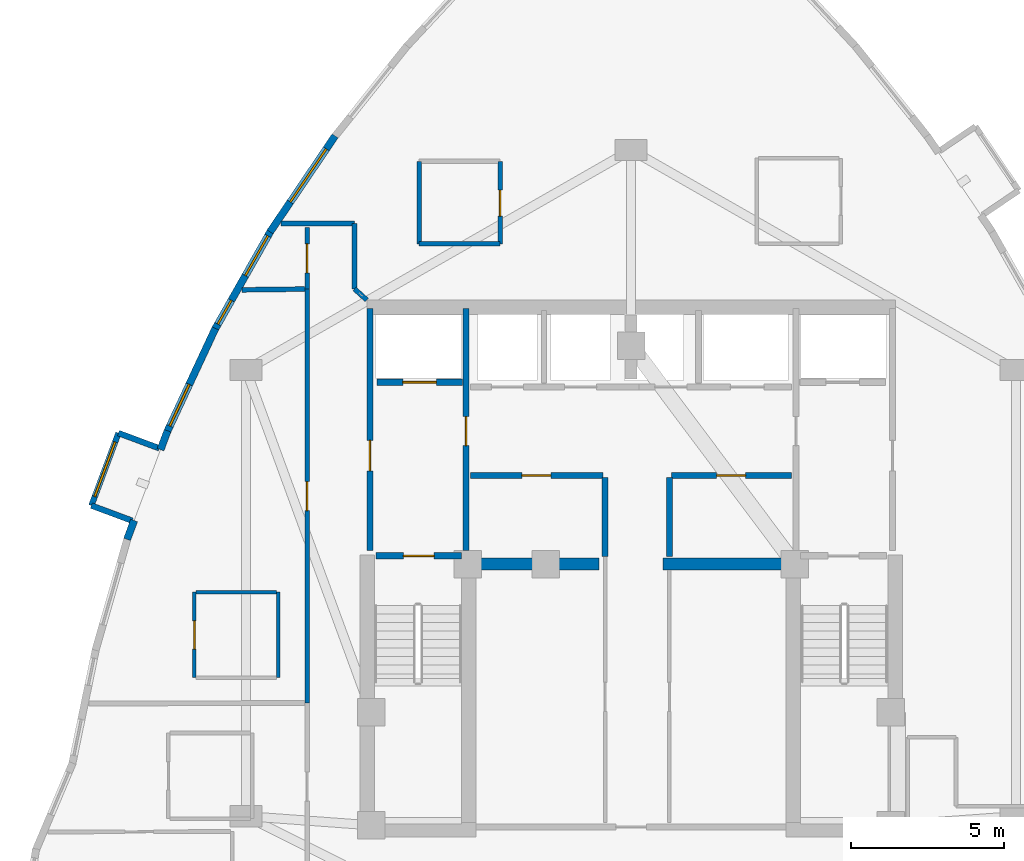
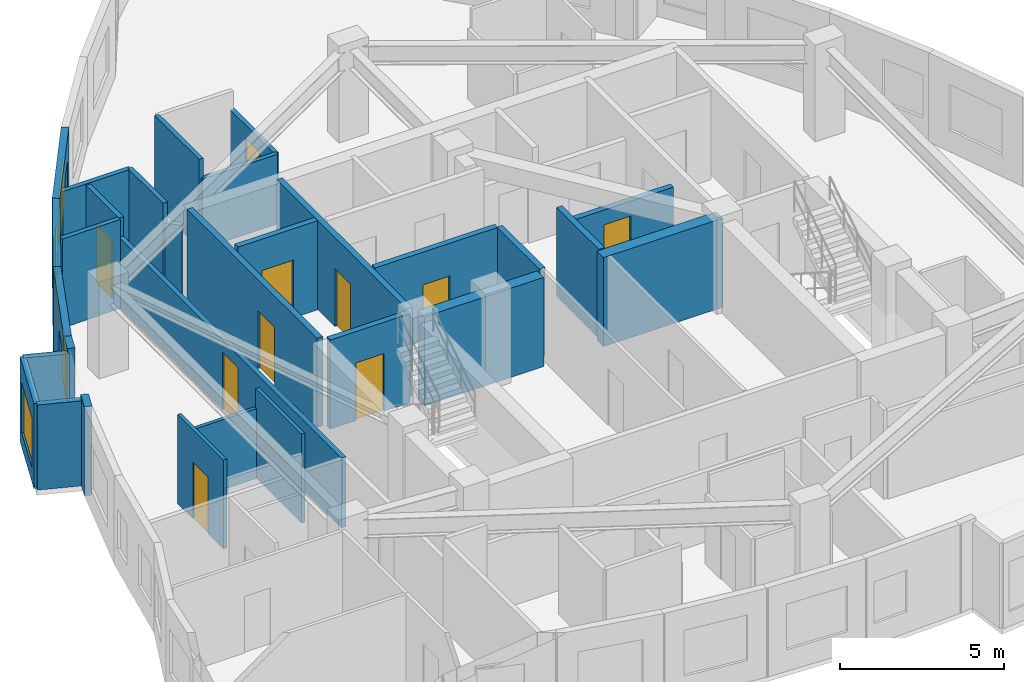
# One storey, part 8 of 12: 30 walls, 10 doors, 5 windows, 15 openings.
"""IFC4 building model written with IfcOpenShell, lengths in metres."""

import ifcopenshell
import ifcopenshell.guid

model = None  # the IFC model being written
_history = None  # IfcOwnerHistory: only IFC2X3 demands one
_inside = {}  # id of a spatial element -> (the spatial element, [elements in it])
_under = {}  # id of a project, library or spatial element -> (it, [spatial elements below it])
_declared = {}  # id of a project -> (the project, [libraries it declares])
_typed = {}  # id of a type object -> (the type object, [elements of that type])
_made_of = {}  # id of a material, layer set ... -> (it, [elements and type objects made of it])


def new_model(schema):
    """Start an empty IFC model of exactly this schema.

    Asked for "IFC4X3", IfcOpenShell would pick the latest addendum, in which some entities
    have other attributes; the version numbers below select the first issue.
    IFC2X3 requires an IfcOwnerHistory on every rooted entity: one is made here for all.
    """
    global model, _history
    if schema == "IFC4X3":
        model = ifcopenshell.file(schema_version=(4, 3, 0, 0))
    else:
        model = ifcopenshell.file(schema=schema)
    _inside.clear()
    _under.clear()
    _declared.clear()
    _typed.clear()
    _made_of.clear()
    _history = None
    if model.schema == "IFC2X3":
        org = make("IfcOrganization", Name="unknown")
        user = make(
            "IfcPersonAndOrganization",
            ThePerson=make("IfcPerson", FamilyName="unknown"),
            TheOrganization=org,
        )
        app = make(
            "IfcApplication",
            ApplicationDeveloper=org,
            Version="unknown",
            ApplicationFullName="unknown",
            ApplicationIdentifier="unknown",
        )
        _history = make(
            "IfcOwnerHistory",
            OwningUser=user,
            OwningApplication=app,
            ChangeAction="ADDED",
            CreationDate=0,
        )
    return model


def make(cls, **values):
    """One entity of the class cls with the attributes given. An attribute that is None is left unset."""
    return model.create_entity(
        cls, **{name: value for name, value in values.items() if value is not None}
    )


def rooted(cls, **values):
    """An entity with a GlobalId (a new one), such as an element, a storey or a relation."""
    return make(cls, GlobalId=ifcopenshell.guid.new(), OwnerHistory=_history, **values)


def si_unit(unit_type, name, prefix=None):
    """IfcSIUnit, for example si_unit("LENGTHUNIT", "METRE", prefix="MILLI")."""
    return make("IfcSIUnit", UnitType=unit_type, Prefix=prefix, Name=name)


def assignment(units):
    """IfcUnitAssignment: the units of a project."""
    return None if units is None else make("IfcUnitAssignment", Units=units)


def point(xyz):
    """IfcCartesianPoint."""
    return None if xyz is None else make("IfcCartesianPoint", Coordinates=xyz)


def direction(xyz):
    """IfcDirection."""
    return None if xyz is None else make("IfcDirection", DirectionRatios=xyz)


def frame(location, z_axis=None, x_axis=None):
    """IfcAxis2Placement3D, a coordinate frame: its origin and axes. An axis left out is left unset."""
    return make(
        "IfcAxis2Placement3D",
        Location=point(location),
        Axis=direction(z_axis),
        RefDirection=direction(x_axis),
    )


def frame_2d(location, x_axis=None):
    """IfcAxis2Placement2D, a coordinate frame in the plane: its origin and x axis."""
    return make(
        "IfcAxis2Placement2D", Location=point(location), RefDirection=direction(x_axis)
    )


def origin():
    """The frame at (0, 0, 0) with its axes left unset."""
    return frame((0.0, 0.0, 0.0))


def place(relative_to, where):
    """IfcLocalPlacement: puts the frame where relative to a parent placement (None: the world)."""
    return make(
        "IfcLocalPlacement", PlacementRelTo=relative_to, RelativePlacement=where
    )


def context(
    kind, dimensions, precision=None, world=None, true_north=None, identifier=None
):
    """IfcGeometricRepresentationContext, for example the 3D "Model" context."""
    return make(
        "IfcGeometricRepresentationContext",
        ContextIdentifier=identifier,
        ContextType=kind,
        CoordinateSpaceDimension=dimensions,
        Precision=precision,
        WorldCoordinateSystem=world,
        TrueNorth=true_north,
    )


def subcontext(parent, identifier, kind, view, scale=None):
    """IfcGeometricRepresentationSubContext, for example "Body" below "Model"."""
    return make(
        "IfcGeometricRepresentationSubContext",
        ContextIdentifier=identifier,
        ContextType=kind,
        ParentContext=parent,
        TargetScale=scale,
        TargetView=view,
    )


def project(units=None, contexts=None):
    """IfcProject with its units and contexts."""
    return rooted(
        "IfcProject",
        Name="project",
        RepresentationContexts=contexts,
        UnitsInContext=assignment(units),
    )


def spatial(cls, under=None, at=None, **own):
    """A site, building, storey or space (cls), placed at a placement, below another one or the project."""
    s = rooted(cls, ObjectPlacement=at, **own)
    if under is not None:
        _under.setdefault(under.id(), (under, []))[1].append(s)
    return s


def profile(cls, at=None, kind="AREA", **sizes):
    """A parametric profile (cls). Its sizes go by their IFC names, for example OverallWidth=200.0."""
    return make(cls, ProfileType=kind, Position=at, **sizes)


def rectangle(**sizes):
    """IfcRectangleProfileDef."""
    return profile("IfcRectangleProfileDef", **sizes)


def extrude(swept, where, along, depth):
    """IfcExtrudedAreaSolid: the profile swept, set in the frame where, extruded along a direction by depth."""
    return make(
        "IfcExtrudedAreaSolid",
        SweptArea=swept,
        Position=where,
        ExtrudedDirection=direction(along),
        Depth=depth,
    )


def shape(context_of_items, identifier, shape_type, items):
    """IfcShapeRepresentation: the items that make up one representation, for example the "Body"."""
    return make(
        "IfcShapeRepresentation",
        ContextOfItems=context_of_items,
        RepresentationIdentifier=identifier,
        RepresentationType=shape_type,
        Items=items,
    )


def material(Name=None, Category=None):
    """IfcMaterial."""
    return make("IfcMaterial", Name=Name, Category=Category)


def layer(
    of_material, thickness, ventilated=None, Name=None, Category=None, Priority=None
):
    """IfcMaterialLayer: one layer of a wall or slab, of a material (None: an air gap)."""
    return make(
        "IfcMaterialLayer",
        Material=of_material,
        LayerThickness=thickness,
        IsVentilated=ventilated,
        Name=Name,
        Category=Category,
        Priority=Priority,
    )


def layer_set(layers, Name=None):
    """IfcMaterialLayerSet."""
    return make("IfcMaterialLayerSet", MaterialLayers=layers, LayerSetName=Name)


def made_of(thing, what):
    """Note that an element or type object is made of a material, layer set ...; save() writes the relation."""
    if what is not None:
        _made_of.setdefault(what.id(), (what, []))[1].append(thing)
    return thing


def type_object(cls, material=None, **own):
    """A type object (cls), such as IfcWallType, which elements share."""
    return made_of(rooted(cls, **own), material)


def element(
    cls,
    number,
    at=None,
    inside=None,
    cuts=None,
    type_object=None,
    material=None,
    context=None,
    identifier="Body",
    shape_type=None,
    held_by="IfcProductDefinitionShape",
    body=None,
    shapes=None,
    **own,
):
    """One element of the class cls, such as IfcWall. Its Tag is "e" and its number.

    at: its placement. inside: the storey or other place that contains it. cuts: it is an
    opening in that element (IfcRelVoidsElement). A single representation is given by context,
    identifier, shape_type and body (its items); several are given by shapes. held_by: the class
    of the entity that holds the representations. save() writes the other relations.
    """
    e = rooted(cls, Tag="e%d" % number, ObjectPlacement=at, **own)
    if body is not None:
        shapes = [shape(context, identifier, shape_type, body)]
    if shapes is not None:
        e.Representation = make(held_by, Representations=shapes)
    if inside is not None:
        _inside.setdefault(inside.id(), (inside, []))[1].append(e)
    if cuts is not None:
        rooted(
            "IfcRelVoidsElement", RelatingBuildingElement=cuts, RelatedOpeningElement=e
        )
    if type_object is not None:
        _typed.setdefault(type_object.id(), (type_object, []))[1].append(e)
    return made_of(e, material)


def fill(opening, filler):
    """IfcRelFillsElement: the door or window that sits in an opening."""
    return rooted(
        "IfcRelFillsElement",
        RelatingOpeningElement=opening,
        RelatedBuildingElement=filler,
    )


def aggregate(whole, parts):
    """IfcRelAggregates: a whole, such as a stair, and the parts it consists of."""
    return rooted("IfcRelAggregates", RelatingObject=whole, RelatedObjects=parts)


def save(model, path):
    """Write the relations noted so far, then the file.

    IfcRelAggregates (storeys below a building ...), IfcRelContainedInSpatialStructure (elements
    in a storey), IfcRelDefinesByType, IfcRelAssociatesMaterial and IfcRelDeclares: one each for
    every whole, place, type object, material and project.
    """
    for whole, parts in _under.values():
        aggregate(whole, parts)
    for where, things in _inside.values():
        rooted(
            "IfcRelContainedInSpatialStructure",
            RelatedElements=things,
            RelatingStructure=where,
        )
    for kind, things in _typed.values():
        rooted("IfcRelDefinesByType", RelatedObjects=things, RelatingType=kind)
    for what, things in _made_of.values():
        rooted("IfcRelAssociatesMaterial", RelatedObjects=things, RelatingMaterial=what)
    for by, libraries in _declared.values():
        rooted("IfcRelDeclares", RelatingContext=by, RelatedDefinitions=libraries)
    model.write(path)


model = new_model("IFC4")

# Units and contexts
model_context = context("Model", 3, precision=1e-05, world=origin(), true_north=direction((0.0, 1.0)))
body_context = subcontext(model_context, "Body", "Model", "MODEL_VIEW")
ifc_project = project(units=[si_unit("LENGTHUNIT", "METRE"), si_unit("AREAUNIT", "SQUARE_METRE"), si_unit("VOLUMEUNIT", "CUBIC_METRE"), si_unit("PLANEANGLEUNIT", "RADIAN"), si_unit("MASSUNIT", "GRAM", prefix="KILO")], contexts=[model_context])

# Site, building, storey
site_placement = place(None, origin())
site = spatial("IfcSite", under=ifc_project, at=site_placement, CompositionType="ELEMENT")
building_placement = place(site_placement, origin())
building = spatial("IfcBuilding", under=site, at=building_placement, Name="Miruveldt Soraemaru", CompositionType="ELEMENT")
storey_placement = place(building_placement, frame((0.0, 0.0, 248.39990234375)))
storey = spatial("IfcBuildingStorey", under=building, at=storey_placement, Name="L68", CompositionType="ELEMENT", Elevation=248.39990234375)

# Walls
ifc_material_1 = material(Name="White powder-coated aluminium EN AW-6060 T6", Category="aluminium")
ifc_layer_1 = layer(ifc_material_1, 0.18994140625, Name="White powder-coated aluminium EN AW-6060 T6", Category="aluminium")
ifc_layer_set_1 = layer_set([ifc_layer_1], Name="White powder-coated aluminium EN AW-6060 T6")
wall_type_1 = type_object("IfcWallType", Name="WALL-BAY-ALU190", PredefinedType="SOLIDWALL", material=ifc_layer_set_1)
for number, where, z_axis, x_axis, name in (
    (1, (28.557373046875, 47.839599609375, 0.0), (0.0, 0.0, 1.0), (-0.937073323404, 0.34913262031, 0.0), "L68 Bay Window Side Cheek 3L"),
    (2, (26.338134765625, 45.96435546875, 0.0), (0.0, 0.0, 1.0), (0.937073323404, -0.34913262031, 0.0), "L68 Bay Window Side Cheek 3R"),
):
    element("IfcWall", number, at=place(storey_placement, frame(where, z_axis=z_axis, x_axis=x_axis)), inside=storey, type_object=wall_type_1, Name=name, PredefinedType="SOLIDWALL", context=body_context, shape_type="SweptSolid", body=[
        extrude(rectangle(XDim=1.425048828125, YDim=0.18994140625, at=frame_2d((0.71240234375, 0.0))), origin(), (0.0, 0.0, 1.0), 3.1650390625),
    ])

# Wall, opening, window
wall_1_placement = place(storey_placement, frame((27.221923828125, 48.337158203125, 0.0), z_axis=(0.0, 0.0, 1.0), x_axis=(-0.349040955223, -0.937107470666, 0.0)))
wall_1 = element("IfcWall", 3, at=wall_1_placement, inside=storey, type_object=wall_type_1, Name="L68 Bay Window Front Frame 3", PredefinedType="SOLIDWALL", context=body_context, shape_type="SweptSolid", body=[
    extrude(rectangle(XDim=2.531982421875, YDim=0.18994140625, at=frame_2d((1.26611328125, 0.0))), origin(), (0.0, 0.0, 1.0), 3.1650390625),
])
opening_1_placement = place(wall_1_placement, frame((0.31591796875, 0.0, 0.550048828125)))
opening_1 = element("IfcOpeningElement", 4, at=opening_1_placement, cuts=wall_1, Name="Opening WN-6", PredefinedType="OPENING", context=body_context, shape_type="SweptSolid", body=[
    extrude(rectangle(XDim=1.89990234375, YDim=1.85009765625, at=frame_2d((0.949951171875, 0.925048828125))), frame((0.0, 0.10498046875, 0.0), z_axis=(0.0, -1.0, 0.0), x_axis=(1.0, 0.0, 0.0)), (0.0, 0.0, 1.0), 0.2099609375),
])
ifc_material_2 = material(Name="Triple low-e insulated glazing", Category="glass")
window_type_1 = type_object("IfcWindowType", Name="WIN-BAYW-1900x1850", PartitioningType="SINGLE_PANEL", PredefinedType="WINDOW", material=ifc_material_2)
window_1_placement = place(opening_1_placement, origin())
window_1 = element("IfcWindow", 5, at=window_1_placement, inside=storey, type_object=window_type_1, Name="L68 Projecting Bay Window 3", OverallHeight=1.85009765625, OverallWidth=1.89990234375, PartitioningType="SINGLE_PANEL", PredefinedType="WINDOW", context=body_context, shape_type="SweptSolid", body=[
    extrude(rectangle(XDim=1.89990234375, YDim=1.85009765625, at=frame_2d((0.949951171875, 0.925048828125))), frame((0.0, 0.030029296875, 0.0), z_axis=(0.0, -1.0, 0.0), x_axis=(1.0, 0.0, 0.0)), (0.0, 0.0, 1.0), 0.06005859375),
])
fill(opening_1, window_1)

# Walls
ifc_material_3 = material(Name="Concrete C70/85 (70 MPa)", Category="concrete")
ifc_layer_2 = layer(ifc_material_3, 0.5, Name="Concrete C70/85 (70 MPa)", Category="concrete")
ifc_layer_set_2 = layer_set([ifc_layer_2], Name="Concrete C70/85 (70 MPa)")
wall_type_2 = type_object("IfcWallType", Name="WALL-BW-500", PredefinedType="SHEAR", material=ifc_layer_set_2)
for number, where, z_axis, x_axis, name in (
    (6, (38.75, 44.050048828125, 0.0), (0.0, 0.0, 1.0), (1.0, 0.0, 0.0), "L68 Core Buttress Shear Wall BW"),
    (7, (45.050048828125, 44.050048828125, 0.0), (0.0, 0.0, 1.0), (1.0, 0.0, 0.0), "L68 Core Buttress Shear Wall BE"),
):
    element("IfcWall", number, at=place(storey_placement, frame(where, z_axis=z_axis, x_axis=x_axis)), inside=storey, type_object=wall_type_2, Name=name, PredefinedType="SHEAR", context=body_context, shape_type="SweptSolid", body=[
        extrude(rectangle(XDim=4.199951171875, YDim=0.39990234375, at=frame_2d((2.10009765625, 0.0))), origin(), (0.0, 0.0, 1.0), 3.315185546875),
    ])

# Wall, opening, window
ifc_material_4 = material(Name="Precast concrete C45/55 (45 MPa)", Category="concrete")
ifc_layer_3 = layer(ifc_material_4, 0.239990234375, Name="Precast concrete C45/55 (45 MPa)", Category="concrete")
ifc_layer_set_3 = layer_set([ifc_layer_3], Name="Precast concrete C45/55 (45 MPa)")
wall_type_3 = type_object("IfcWallType", Name="WALL-EXT-PC240", PredefinedType="SOLIDWALL", material=ifc_layer_set_3)
wall_2_placement = place(storey_placement, frame((34.311767578125, 58.061279296875, 0.0), z_axis=(0.0, 0.0, 1.0), x_axis=(-0.560819680623, -0.827937972209, 0.0)))
wall_2 = element("IfcWall", 8, at=wall_2_placement, inside=storey, type_object=wall_type_3, Name="L68 Precast Concrete Facade Wall 9", PredefinedType="SOLIDWALL", context=body_context, shape_type="SweptSolid", body=[
    extrude(rectangle(XDim=3.79296875, YDim=0.239990234375, at=frame_2d((1.896484375, 0.0))), origin(), (0.0, 0.0, 1.0), 3.315185546875),
])
opening_2_placement = place(wall_2_placement, frame((0.511962890625, 0.0, 0.800048828125)))
opening_2 = element("IfcOpeningElement", 9, at=opening_2_placement, cuts=wall_2, Name="Opening WN-1", PredefinedType="OPENING", context=body_context, shape_type="SweptSolid", body=[
    extrude(rectangle(XDim=2.10009765625, YDim=1.699951171875, at=frame_2d((1.050048828125, 0.85009765625))), frame((0.0, 0.1298828125, 0.0), z_axis=(0.0, -1.0, 0.0), x_axis=(1.0, 0.0, 0.0)), (0.0, 0.0, 1.0), 0.260009765625),
])
window_type_2 = type_object("IfcWindowType", Name="WIN-PUNCH-2100x1700", PartitioningType="SINGLE_PANEL", PredefinedType="WINDOW", material=ifc_material_2)
window_2_placement = place(opening_2_placement, origin())
window_2 = element("IfcWindow", 10, at=window_2_placement, inside=storey, type_object=window_type_2, Name="L68 Punched Triple-Glazed Window 09.1", OverallHeight=1.699951171875, OverallWidth=2.10009765625, PartitioningType="SINGLE_PANEL", PredefinedType="WINDOW", context=body_context, shape_type="SweptSolid", body=[
    extrude(rectangle(XDim=2.10009765625, YDim=1.699951171875, at=frame_2d((1.050048828125, 0.85009765625))), frame((0.0, 0.030029296875, 0.0), z_axis=(0.0, -1.0, 0.0), x_axis=(1.0, 0.0, 0.0)), (0.0, 0.0, 1.0), 0.06005859375),
])
fill(opening_2, window_2)

# Wall, openings, windows
wall_3_placement = place(storey_placement, frame((32.221435546875, 54.980224609375, 0.0), z_axis=(0.0, 0.0, 1.0), x_axis=(-0.49336716915, -0.869821151965, 0.0)))
wall_3 = element("IfcWall", 11, at=wall_3_placement, inside=storey, type_object=wall_type_3, Name="L68 Precast Concrete Facade Wall 10", PredefinedType="SOLIDWALL", context=body_context, shape_type="SweptSolid", body=[
    extrude(rectangle(XDim=3.769287109375, YDim=0.239990234375, at=frame_2d((1.884765625, 0.0))), origin(), (0.0, 0.0, 1.0), 3.315185546875),
])
opening_3_placement = place(wall_3_placement, frame((0.217041015625, 0.0, 0.800048828125)))
opening_3 = element("IfcOpeningElement", 12, at=opening_3_placement, cuts=wall_3, Name="Opening WN-3", PredefinedType="OPENING", context=body_context, shape_type="SweptSolid", body=[
    extrude(rectangle(XDim=1.5, YDim=1.60009765625, at=frame_2d((0.75, 0.800048828125))), frame((0.0, 0.1298828125, 0.0), z_axis=(0.0, -1.0, 0.0), x_axis=(1.0, 0.0, 0.0)), (0.0, 0.0, 1.0), 0.260009765625),
])
opening_4_placement = place(wall_3_placement, frame((2.64111328125, 0.0, 0.780029296875)))
opening_4 = element("IfcOpeningElement", 13, at=opening_4_placement, cuts=wall_3, Name="Opening WN-7", PredefinedType="OPENING", context=body_context, shape_type="SweptSolid", body=[
    extrude(rectangle(XDim=0.89990234375, YDim=1.5, at=frame_2d((0.449951171875, 0.75))), frame((0.0, 0.1298828125, 0.0), z_axis=(0.0, -1.0, 0.0), x_axis=(1.0, 0.0, 0.0)), (0.0, 0.0, 1.0), 0.260009765625),
])
window_type_3 = type_object("IfcWindowType", Name="WIN-PUNCH-1500x1600", PartitioningType="SINGLE_PANEL", PredefinedType="WINDOW", material=ifc_material_2)
window_3_placement = place(opening_3_placement, origin())
window_3 = element("IfcWindow", 14, at=window_3_placement, inside=storey, type_object=window_type_3, Name="L68 Punched Triple-Glazed Window 10.1", OverallHeight=1.60009765625, OverallWidth=1.5, PartitioningType="SINGLE_PANEL", PredefinedType="WINDOW", context=body_context, shape_type="SweptSolid", body=[
    extrude(rectangle(XDim=1.5, YDim=1.60009765625, at=frame_2d((0.75, 0.800048828125))), frame((0.0, 0.030029296875, 0.0), z_axis=(0.0, -1.0, 0.0), x_axis=(1.0, 0.0, 0.0)), (0.0, 0.0, 1.0), 0.06005859375),
])
fill(opening_3, window_3)
window_type_4 = type_object("IfcWindowType", Name="WIN-PUNCH-900x1500", PartitioningType="SINGLE_PANEL", PredefinedType="WINDOW", material=ifc_material_2)
window_4_placement = place(opening_4_placement, origin())
window_4 = element("IfcWindow", 15, at=window_4_placement, inside=storey, type_object=window_type_4, Name="L68 Punched Triple-Glazed Window 10.2", OverallHeight=1.5, OverallWidth=0.89990234375, PartitioningType="SINGLE_PANEL", PredefinedType="WINDOW", context=body_context, shape_type="SweptSolid", body=[
    extrude(rectangle(XDim=0.89990234375, YDim=1.5, at=frame_2d((0.449951171875, 0.75))), frame((0.0, 0.030029296875, 0.0), z_axis=(0.0, -1.0, 0.0), x_axis=(1.0, 0.0, 0.0)), (0.0, 0.0, 1.0), 0.06005859375),
])
fill(opening_4, window_4)

# Wall, opening, window
wall_4_placement = place(storey_placement, frame((30.393798828125, 51.763671875, 0.0), z_axis=(0.0, 0.0, 1.0), x_axis=(-0.422300319824, -0.906455977903, 0.0)))
wall_4 = element("IfcWall", 16, at=wall_4_placement, inside=storey, type_object=wall_type_3, Name="L68 Precast Concrete Facade Wall 11", PredefinedType="SOLIDWALL", context=body_context, shape_type="SweptSolid", body=[
    extrude(rectangle(XDim=3.769287109375, YDim=0.239990234375, at=frame_2d((1.884765625, 0.0))), origin(), (0.0, 0.0, 1.0), 3.315185546875),
])
opening_5_placement = place(wall_4_placement, frame((2.02490234375, 0.0, 0.800048828125)))
opening_5 = element("IfcOpeningElement", 17, at=opening_5_placement, cuts=wall_4, Name="Opening WN-3", PredefinedType="OPENING", context=body_context, shape_type="SweptSolid", body=[
    extrude(rectangle(XDim=1.5, YDim=1.60009765625, at=frame_2d((0.75, 0.800048828125))), frame((0.0, 0.1298828125, 0.0), z_axis=(0.0, -1.0, 0.0), x_axis=(1.0, 0.0, 0.0)), (0.0, 0.0, 1.0), 0.260009765625),
])
window_5_placement = place(opening_5_placement, origin())
window_5 = element("IfcWindow", 18, at=window_5_placement, inside=storey, type_object=window_type_3, Name="L68 Punched Triple-Glazed Window 11.1", OverallHeight=1.60009765625, OverallWidth=1.5, PartitioningType="SINGLE_PANEL", PredefinedType="WINDOW", context=body_context, shape_type="SweptSolid", body=[
    extrude(rectangle(XDim=1.5, YDim=1.60009765625, at=frame_2d((0.75, 0.800048828125))), frame((0.0, 0.030029296875, 0.0), z_axis=(0.0, -1.0, 0.0), x_axis=(1.0, 0.0, 0.0)), (0.0, 0.0, 1.0), 0.06005859375),
])
fill(opening_5, window_5)

# Walls
wall_5_placement = place(storey_placement, frame((28.828857421875, 48.411376953125, 0.0), z_axis=(0.0, 0.0, 1.0), x_axis=(-0.348975351706, -0.93713190315, 0.0)))
element("IfcWall", 19, at=wall_5_placement, inside=storey, type_object=wall_type_3, Name="L68 Precast Pier Wall 12A", PredefinedType="SOLIDWALL", context=body_context, shape_type="SweptSolid", body=[
    extrude(rectangle(XDim=0.660400390625, YDim=0.239990234375, at=frame_2d((0.330078125, 0.0))), origin(), (0.0, 0.0, 1.0), 3.315185546875),
])
wall_6_placement = place(storey_placement, frame((27.735595703125, 45.475830078125, 0.0), z_axis=(0.0, 0.0, 1.0), x_axis=(-0.349179005452, -0.937056040027, 0.0)))
element("IfcWall", 20, at=wall_6_placement, inside=storey, type_object=wall_type_3, Name="L68 Precast Pier Wall 12B", PredefinedType="SOLIDWALL", context=body_context, shape_type="SweptSolid", body=[
    extrude(rectangle(XDim=0.66064453125, YDim=0.239990234375, at=frame_2d((0.330322265625, 0.0))), origin(), (0.0, 0.0, 1.0), 3.315185546875),
])

# Wall, opening, door
ifc_material_5 = material(Name="Gypsum plasterboard lining", Category="gypsum")
ifc_layer_4 = layer(ifc_material_5, 0.1201171875, Name="Gypsum plasterboard lining", Category="gypsum")
ifc_layer_set_4 = layer_set([ifc_layer_4], Name="Gypsum plasterboard lining")
wall_type_4 = type_object("IfcWallType", Name="WALL-INT-P120", PredefinedType="PARTITIONING", material=ifc_layer_set_4)
wall_7_placement = place(storey_placement, frame((29.70703125, 43.1298828125, 0.0), z_axis=(0.0, 0.0, 1.0), x_axis=(0.0, -1.0, 0.0)))
wall_7 = element("IfcWall", 21, at=wall_7_placement, inside=storey, type_object=wall_type_4, Name="L68 Partition Wall 23", PredefinedType="PARTITIONING", context=body_context, shape_type="SweptSolid", body=[
    extrude(rectangle(XDim=2.7998046875, YDim=0.1201171875, at=frame_2d((1.39990234375, 0.0))), origin(), (0.0, 0.0, 1.0), 3.315185546875),
])
opening_6_placement = place(wall_7_placement, frame((0.93994140625, 0.0, 0.0)))
opening_6 = element("IfcOpeningElement", 22, at=opening_6_placement, cuts=wall_7, Name="Opening D3A", PredefinedType="OPENING", context=body_context, shape_type="SweptSolid", body=[
    extrude(rectangle(XDim=0.919921875, YDim=2.10009765625, at=frame_2d((0.4599609375, 1.050048828125))), frame((0.0, 0.070068359375, 0.0), z_axis=(0.0, -1.0, 0.0), x_axis=(1.0, 0.0, 0.0)), (0.0, 0.0, 1.0), 0.14013671875),
])
ifc_material_6 = material(Name="Anodised aluminium EN AW-6063 T6", Category="aluminium")
door_type_1 = type_object("IfcDoorType", Name="DOOR-INT-920", OperationType="NOTDEFINED", PredefinedType="DOOR", material=ifc_material_6)
door_1_placement = place(opening_6_placement, origin())
door_1 = element("IfcDoor", 23, at=door_1_placement, inside=storey, type_object=door_type_1, Name="L68 Unit CL02 KIT Door", OperationType="SINGLE_SWING_RIGHT", OverallHeight=2.10009765625, OverallWidth=0.919921875, PredefinedType="DOOR", context=body_context, shape_type="SweptSolid", body=[
    extrude(rectangle(XDim=0.919921875, YDim=2.10009765625, at=frame_2d((0.4599609375, 1.050048828125))), frame((0.0, 0.02490234375, 0.0), z_axis=(0.0, -1.0, 0.0), x_axis=(1.0, 0.0, 0.0)), (0.0, 0.0, 1.0), 0.050048828125),
])
fill(opening_6, door_1)

# Walls
wall_8_placement = place(storey_placement, frame((32.45703125, 40.330078125, 0.0), z_axis=(0.0, 0.0, 1.0), x_axis=(0.0, 1.0, 0.0)))
element("IfcWall", 24, at=wall_8_placement, inside=storey, type_object=wall_type_4, Name="L68 Partition Wall 21", PredefinedType="PARTITIONING", context=body_context, shape_type="SweptSolid", body=[
    extrude(rectangle(XDim=2.7998046875, YDim=0.1201171875, at=frame_2d((1.39990234375, 0.0))), origin(), (0.0, 0.0, 1.0), 3.315185546875),
])
wall_9_placement = place(storey_placement, frame((32.39697265625, 43.1298828125, 0.0), z_axis=(0.0, 0.0, 1.0), x_axis=(-1.0, 0.0, 0.0)))
element("IfcWall", 25, at=wall_9_placement, inside=storey, type_object=wall_type_4, Name="L68 Partition Wall 22", PredefinedType="PARTITIONING", context=body_context, shape_type="SweptSolid", body=[
    extrude(rectangle(XDim=2.6298828125, YDim=0.1201171875, at=frame_2d((1.31494140625, 0.0))), origin(), (0.0, 0.0, 1.0), 2.60302734375),
])

# Wall, opening, door
ifc_layer_5 = layer(ifc_material_5, 0.14990234375, Name="Gypsum plasterboard lining", Category="gypsum")
ifc_layer_set_5 = layer_set([ifc_layer_5], Name="Gypsum plasterboard lining")
wall_type_5 = type_object("IfcWallType", Name="WALL-INT-PLUMB", PredefinedType="PLUMBINGWALL", material=ifc_layer_set_5)
wall_10_placement = place(storey_placement, frame((39.7119140625, 54.530029296875, 0.0), z_axis=(0.0, 0.0, 1.0), x_axis=(0.0, 1.0, 0.0)))
wall_10 = element("IfcWall", 26, at=wall_10_placement, inside=storey, type_object=wall_type_5, Name="L68 Partition Wall 12", PredefinedType="PLUMBINGWALL", context=body_context, shape_type="SweptSolid", body=[
    extrude(rectangle(XDim=2.699951171875, YDim=0.14990234375, at=frame_2d((1.35009765625, 0.0))), origin(), (0.0, 0.0, 1.0), 2.60302734375),
])
opening_7_placement = place(wall_10_placement, frame((0.909912109375, 0.0, 0.0)))
opening_7 = element("IfcOpeningElement", 27, at=opening_7_placement, cuts=wall_10, Name="Opening FD3", PredefinedType="OPENING", context=body_context, shape_type="SweptSolid", body=[
    extrude(rectangle(XDim=0.85009765625, YDim=2.10009765625, at=frame_2d((0.425048828125, 1.050048828125))), frame((0.0, 0.0849609375, 0.0), z_axis=(0.0, -1.0, 0.0), x_axis=(1.0, 0.0, 0.0)), (0.0, 0.0, 1.0), 0.169921875),
])
door_type_2 = type_object("IfcDoorType", Name="DOOR-FD3-850", OperationType="NOTDEFINED", PredefinedType="DOOR", material=ifc_material_6)
door_2_placement = place(opening_7_placement, origin())
door_2 = element("IfcDoor", 28, at=door_2_placement, inside=storey, type_object=door_type_2, Name="L68 Unit CL01 BTH Door", OperationType="SINGLE_SWING_LEFT", OverallHeight=2.10009765625, OverallWidth=0.85009765625, PredefinedType="DOOR", context=body_context, shape_type="SweptSolid", body=[
    extrude(rectangle(XDim=0.85009765625, YDim=2.10009765625, at=frame_2d((0.425048828125, 1.050048828125))), frame((0.0, 0.02490234375, 0.0), z_axis=(0.0, -1.0, 0.0), x_axis=(1.0, 0.0, 0.0)), (0.0, 0.0, 1.0), 0.050048828125),
])
fill(opening_7, door_2)

# Walls
wall_11_placement = place(storey_placement, frame((37.06201171875, 57.22998046875, 0.0), z_axis=(0.0, 0.0, 1.0), x_axis=(0.0, -1.0, 0.0)))
element("IfcWall", 29, at=wall_11_placement, inside=storey, type_object=wall_type_5, Name="L68 Partition Wall 14", PredefinedType="PLUMBINGWALL", context=body_context, shape_type="SweptSolid", body=[
    extrude(rectangle(XDim=2.699951171875, YDim=0.14990234375, at=frame_2d((1.35009765625, 0.0))), origin(), (0.0, 0.0, 1.0), 3.315185546875),
])
wall_12_placement = place(storey_placement, frame((37.06201171875, 54.530029296875, 0.0), z_axis=(0.0, 0.0, 1.0), x_axis=(1.0, 0.0, 0.0)))
element("IfcWall", 30, at=wall_12_placement, inside=storey, type_object=wall_type_5, Name="L68 Partition Wall 15", PredefinedType="PLUMBINGWALL", context=body_context, shape_type="SweptSolid", body=[
    extrude(rectangle(XDim=2.64990234375, YDim=0.14990234375, at=frame_2d((1.324951171875, 0.0))), origin(), (0.0, 0.0, 1.0), 2.60302734375),
])

# Wall, opening, door
ifc_material_7 = material(Name="Concrete C40/50 (40 MPa)", Category="concrete")
ifc_layer_6 = layer(ifc_material_7, 0.159912109375, Name="Concrete C40/50 (40 MPa)", Category="concrete")
ifc_layer_set_6 = layer_set([ifc_layer_6], Name="Concrete C40/50 (40 MPa)")
wall_type_6 = type_object("IfcWallType", Name="WALL-INT-RC160", PredefinedType="SOLIDWALL", material=ifc_layer_set_6)
wall_13_placement = place(storey_placement, frame((33.39990234375, 53.050048828125, 0.0), z_axis=(0.0, 0.0, 1.0), x_axis=(0.0, -1.0, 0.0)))
wall_13 = element("IfcWall", 31, at=wall_13_placement, inside=storey, type_object=wall_type_6, Name="L68 Partition Wall 4", PredefinedType="SOLIDWALL", context=body_context, shape_type="SweptSolid", body=[
    extrude(rectangle(XDim=13.550048828125, YDim=0.159912109375, at=frame_2d((6.77490234375, 0.0))), origin(), (0.0, 0.0, 1.0), 2.60302734375),
])
opening_8_placement = place(wall_13_placement, frame((6.300048828125, 0.0, 0.0)))
opening_8 = element("IfcOpeningElement", 32, at=opening_8_placement, cuts=wall_13, Name="Opening FD2", PredefinedType="OPENING", context=body_context, shape_type="SweptSolid", body=[
    extrude(rectangle(XDim=0.949951171875, YDim=2.14990234375, at=frame_2d((0.47509765625, 1.074951171875))), frame((0.0, 0.08984375, 0.0), z_axis=(0.0, -1.0, 0.0), x_axis=(1.0, 0.0, 0.0)), (0.0, 0.0, 1.0), 0.179931640625),
])
door_type_3 = type_object("IfcDoorType", Name="DOOR-FD2-950", OperationType="NOTDEFINED", PredefinedType="DOOR", material=ifc_material_6)
door_3_placement = place(opening_8_placement, origin())
door_3 = element("IfcDoor", 33, at=door_3_placement, inside=storey, type_object=door_type_3, Name="L68 Unit CL02 Entrance Fire Door", OperationType="SINGLE_SWING_LEFT", OverallHeight=2.14990234375, OverallWidth=0.949951171875, PredefinedType="DOOR", context=body_context, shape_type="SweptSolid", body=[
    extrude(rectangle(XDim=0.949951171875, YDim=2.14990234375, at=frame_2d((0.47509765625, 1.074951171875))), frame((0.0, 0.02490234375, 0.0), z_axis=(0.0, -1.0, 0.0), x_axis=(1.0, 0.0, 0.0)), (0.0, 0.0, 1.0), 0.050048828125),
])
fill(opening_8, door_3)

wall_14_placement = place(storey_placement, frame((33.39990234375, 55.06005859375, 0.0), z_axis=(0.0, 0.0, 1.0), x_axis=(0.0, -1.0, 0.0)))
wall_14 = element("IfcWall", 34, at=wall_14_placement, inside=storey, type_object=wall_type_6, Name="L68 Partition Wall 3", PredefinedType="SOLIDWALL", context=body_context, shape_type="SweptSolid", body=[
    extrude(rectangle(XDim=2.007080078125, YDim=0.159912109375, at=frame_2d((1.00341796875, 0.0))), origin(), (0.0, 0.0, 1.0), 3.315185546875),
])
opening_9_placement = place(wall_14_placement, frame((0.529052734375, 0.0, 0.0)))
opening_9 = element("IfcOpeningElement", 35, at=opening_9_placement, cuts=wall_14, Name="Opening FD2", PredefinedType="OPENING", context=body_context, shape_type="SweptSolid", body=[
    extrude(rectangle(XDim=0.949951171875, YDim=2.14990234375, at=frame_2d((0.47509765625, 1.074951171875))), frame((0.0, 0.08984375, 0.0), z_axis=(0.0, -1.0, 0.0), x_axis=(1.0, 0.0, 0.0)), (0.0, 0.0, 1.0), 0.179931640625),
])
door_4_placement = place(opening_9_placement, origin())
door_4 = element("IfcDoor", 36, at=door_4_placement, inside=storey, type_object=door_type_3, Name="L68 Unit CL01 Entrance Fire Door", OperationType="SINGLE_SWING_RIGHT", OverallHeight=2.14990234375, OverallWidth=0.949951171875, PredefinedType="DOOR", context=body_context, shape_type="SweptSolid", body=[
    extrude(rectangle(XDim=0.949951171875, YDim=2.14990234375, at=frame_2d((0.47509765625, 1.074951171875))), frame((0.0, 0.02490234375, 0.0), z_axis=(0.0, -1.0, 0.0), x_axis=(1.0, 0.0, 0.0)), (0.0, 0.0, 1.0), 0.050048828125),
])
fill(opening_9, door_4)

# Walls
wall_15_placement = place(storey_placement, frame((34.949951171875, 55.199951171875, 0.0), z_axis=(0.0, 0.0, 1.0), x_axis=(-1.0, 0.0, 0.0)))
element("IfcWall", 37, at=wall_15_placement, inside=storey, type_object=wall_type_6, Name="L68 Partition Wall 2", PredefinedType="SOLIDWALL", context=body_context, shape_type="SweptSolid", body=[
    extrude(rectangle(XDim=2.412841796875, YDim=0.159912109375, at=frame_2d((1.20654296875, 0.0))), origin(), (0.0, 0.0, 1.0), 3.315185546875),
])
wall_16_placement = place(storey_placement, frame((34.949951171875, 53.054931640625, 0.0), z_axis=(0.0, 0.0, 1.0), x_axis=(0.0, 1.0, 0.0)))
element("IfcWall", 38, at=wall_16_placement, inside=storey, type_object=wall_type_6, Name="L68 Partition Wall 1", PredefinedType="SOLIDWALL", context=body_context, shape_type="SweptSolid", body=[
    extrude(rectangle(XDim=2.14501953125, YDim=0.159912109375, at=frame_2d((1.072509765625, 0.0))), origin(), (0.0, 0.0, 1.0), 3.315185546875),
])
wall_17_placement = place(storey_placement, frame((31.26611328125, 53.02294921875, 0.0), z_axis=(0.0, 0.0, 1.0), x_axis=(0.999919130809, 0.012717383454, 0.0)))
element("IfcWall", 39, at=wall_17_placement, inside=storey, type_object=wall_type_6, Name="L68 Partition Wall 20", PredefinedType="SOLIDWALL", context=body_context, shape_type="SweptSolid", body=[
    extrude(rectangle(XDim=2.05419921875, YDim=0.159912109375, at=frame_2d((1.027099609375, 0.0))), origin(), (0.0, 0.0, 1.0), 3.315185546875),
])
wall_18_placement = place(storey_placement, frame((34.949951171875, 53.054931640625, 0.0), z_axis=(0.0, 0.0, 1.0), x_axis=(0.738817210736, -0.673905875565, 0.0)))
element("IfcWall", 40, at=wall_18_placement, inside=storey, type_object=wall_type_6, Name="L68 Partition Closure Return 1", PredefinedType="SOLIDWALL", context=body_context, shape_type="SweptSolid", body=[
    extrude(rectangle(XDim=0.54150390625, YDim=0.159912109375, at=frame_2d((0.270751953125, 0.0))), origin(), (0.0, 0.0, 1.0), 2.60302734375),
])

# Wall, opening, door
ifc_layer_7 = layer(ifc_material_7, 0.199951171875, Name="Concrete C40/50 (40 MPa)", Category="concrete")
ifc_layer_set_7 = layer_set([ifc_layer_7], Name="Concrete C40/50 (40 MPa)")
wall_type_7 = type_object("IfcWallType", Name="WALL-INT-RC200", PredefinedType="SOLIDWALL", material=ifc_layer_set_7)
wall_19_placement = place(storey_placement, frame((35.449951171875, 44.5, 0.0), z_axis=(0.0, 0.0, 1.0), x_axis=(0.0, 1.0, 0.0)))
wall_19 = element("IfcWall", 41, at=wall_19_placement, inside=storey, type_object=wall_type_7, Name="L68 Core Compartment Wall FFW-OUT", PredefinedType="SOLIDWALL", context=body_context, shape_type="SweptSolid", body=[
    extrude(rectangle(XDim=7.919921875, YDim=0.199951171875, at=frame_2d((3.9599609375, 0.0))), origin(), (0.0, 0.0, 1.0), 3.315185546875),
])
opening_10_placement = place(wall_19_placement, frame((2.60009765625, 0.0, 0.0)))
opening_10 = element("IfcOpeningElement", 42, at=opening_10_placement, cuts=wall_19, Name="Opening FD1", PredefinedType="OPENING", context=body_context, shape_type="SweptSolid", body=[
    extrude(rectangle(XDim=1.0, YDim=2.14990234375, at=frame_2d((0.5, 1.074951171875))), frame((0.0, 0.10986328125, 0.0), z_axis=(0.0, -1.0, 0.0), x_axis=(1.0, 0.0, 0.0)), (0.0, 0.0, 1.0), 0.219970703125),
])
door_type_4 = type_object("IfcDoorType", Name="DOOR-FD1-1000", OperationType="NOTDEFINED", PredefinedType="DOOR", material=ifc_material_6)
door_5_placement = place(opening_10_placement, origin())
door_5 = element("IfcDoor", 43, at=door_5_placement, inside=storey, type_object=door_type_4, Name="L68 West Firefighting Lobby Exit Door", OperationType="SINGLE_SWING_LEFT", OverallHeight=2.14990234375, OverallWidth=1.0, PredefinedType="DOOR", context=body_context, shape_type="SweptSolid", body=[
    extrude(rectangle(XDim=1.0, YDim=2.14990234375, at=frame_2d((0.5, 1.074951171875))), frame((0.0, 0.02490234375, 0.0), z_axis=(0.0, -1.0, 0.0), x_axis=(1.0, 0.0, 0.0)), (0.0, 0.0, 1.0), 0.050048828125),
])
fill(opening_10, door_5)

wall_20_placement = place(storey_placement, frame((38.60009765625, 44.5, 0.0), z_axis=(0.0, 0.0, 1.0), x_axis=(0.0, 1.0, 0.0)))
wall_20 = element("IfcWall", 44, at=wall_20_placement, inside=storey, type_object=wall_type_7, Name="L68 Core Compartment Wall FFW-IN", PredefinedType="SOLIDWALL", context=body_context, shape_type="SweptSolid", body=[
    extrude(rectangle(XDim=7.919921875, YDim=0.199951171875, at=frame_2d((3.9599609375, 0.0))), origin(), (0.0, 0.0, 1.0), 3.315185546875),
])
opening_11_placement = place(wall_20_placement, frame((3.425048828125, 0.0, 0.0)))
opening_11 = element("IfcOpeningElement", 45, at=opening_11_placement, cuts=wall_20, Name="Opening FD2", PredefinedType="OPENING", context=body_context, shape_type="SweptSolid", body=[
    extrude(rectangle(XDim=0.949951171875, YDim=2.14990234375, at=frame_2d((0.47509765625, 1.074951171875))), frame((0.0, 0.10986328125, 0.0), z_axis=(0.0, -1.0, 0.0), x_axis=(1.0, 0.0, 0.0)), (0.0, 0.0, 1.0), 0.219970703125),
])
door_6_placement = place(opening_11_placement, frame((0.949951171875, 0.0, 0.0), z_axis=(0.0, 0.0, 1.0), x_axis=(-1.0, 0.0, 0.0)))
door_6 = element("IfcDoor", 46, at=door_6_placement, inside=storey, type_object=door_type_3, Name="L68 Lift Lobby to West Fire Lobby Door", OperationType="SINGLE_SWING_RIGHT", OverallHeight=2.14990234375, OverallWidth=0.949951171875, PredefinedType="DOOR", context=body_context, shape_type="SweptSolid", body=[
    extrude(rectangle(XDim=0.949951171875, YDim=2.14990234375, at=frame_2d((0.47509765625, 1.074951171875))), frame((0.0, 0.02490234375, 0.0), z_axis=(0.0, -1.0, 0.0), x_axis=(1.0, 0.0, 0.0)), (0.0, 0.0, 1.0), 0.050048828125),
])
fill(opening_11, door_6)

wall_21_placement = place(storey_placement, frame((38.75, 46.949951171875, 0.0), z_axis=(0.0, 0.0, 1.0), x_axis=(1.0, 0.0, 0.0)))
wall_21 = element("IfcWall", 47, at=wall_21_placement, inside=storey, type_object=wall_type_7, Name="L68 Core Compartment Wall MBW-N", PredefinedType="SOLIDWALL", context=body_context, shape_type="SweptSolid", body=[
    extrude(rectangle(XDim=4.330078125, YDim=0.199951171875, at=frame_2d((2.1650390625, 0.0))), origin(), (0.0, 0.0, 1.0), 3.315185546875),
])
opening_12_placement = place(wall_21_placement, frame((1.675048828125, 0.0, 0.0)))
opening_12 = element("IfcOpeningElement", 48, at=opening_12_placement, cuts=wall_21, Name="Opening D2", PredefinedType="OPENING", context=body_context, shape_type="SweptSolid", body=[
    extrude(rectangle(XDim=0.949951171875, YDim=2.10009765625, at=frame_2d((0.47509765625, 1.050048828125))), frame((0.0, 0.10986328125, 0.0), z_axis=(0.0, -1.0, 0.0), x_axis=(1.0, 0.0, 0.0)), (0.0, 0.0, 1.0), 0.219970703125),
])
door_type_5 = type_object("IfcDoorType", Name="DOOR-INT-950", OperationType="NOTDEFINED", PredefinedType="DOOR", material=ifc_material_6)
door_7_placement = place(opening_12_placement, origin())
door_7 = element("IfcDoor", 49, at=door_7_placement, inside=storey, type_object=door_type_5, Name="L68 Fire Door", OperationType="SINGLE_SWING_LEFT", OverallHeight=2.10009765625, OverallWidth=0.949951171875, PredefinedType="DOOR", context=body_context, shape_type="SweptSolid", body=[
    extrude(rectangle(XDim=0.949951171875, YDim=2.10009765625, at=frame_2d((0.47509765625, 1.050048828125))), frame((0.0, 0.02490234375, 0.0), z_axis=(0.0, -1.0, 0.0), x_axis=(1.0, 0.0, 0.0)), (0.0, 0.0, 1.0), 0.050048828125),
])
fill(opening_12, door_7)

wall_22_placement = place(storey_placement, frame((45.320068359375, 46.949951171875, 0.0), z_axis=(0.0, 0.0, 1.0), x_axis=(1.0, 0.0, 0.0)))
wall_22 = element("IfcWall", 50, at=wall_22_placement, inside=storey, type_object=wall_type_7, Name="L68 Core Compartment Wall MBE-N", PredefinedType="SOLIDWALL", context=body_context, shape_type="SweptSolid", body=[
    extrude(rectangle(XDim=3.929931640625, YDim=0.199951171875, at=frame_2d((1.96484375, 0.0))), origin(), (0.0, 0.0, 1.0), 2.653076171875),
])
opening_13_placement = place(wall_22_placement, frame((1.47509765625, 0.0, 0.0)))
opening_13 = element("IfcOpeningElement", 51, at=opening_13_placement, cuts=wall_22, Name="Opening D2", PredefinedType="OPENING", context=body_context, shape_type="SweptSolid", body=[
    extrude(rectangle(XDim=0.949951171875, YDim=2.10009765625, at=frame_2d((0.47509765625, 1.050048828125))), frame((0.0, 0.10986328125, 0.0), z_axis=(0.0, -1.0, 0.0), x_axis=(1.0, 0.0, 0.0)), (0.0, 0.0, 1.0), 0.219970703125),
])
door_8_placement = place(opening_13_placement, origin())
door_8 = element("IfcDoor", 52, at=door_8_placement, inside=storey, type_object=door_type_5, Name="L68 Fire Door", OperationType="SINGLE_SWING_LEFT", OverallHeight=2.10009765625, OverallWidth=0.949951171875, PredefinedType="DOOR", context=body_context, shape_type="SweptSolid", body=[
    extrude(rectangle(XDim=0.949951171875, YDim=2.10009765625, at=frame_2d((0.47509765625, 1.050048828125))), frame((0.0, 0.02490234375, 0.0), z_axis=(0.0, -1.0, 0.0), x_axis=(1.0, 0.0, 0.0)), (0.0, 0.0, 1.0), 0.050048828125),
])
fill(opening_13, door_8)

wall_23_placement = place(storey_placement, frame((35.64990234375, 44.320068359375, 0.0), z_axis=(0.0, 0.0, 1.0), x_axis=(1.0, 0.0, 0.0)))
wall_23 = element("IfcWall", 53, at=wall_23_placement, inside=storey, type_object=wall_type_7, Name="L68 Core Compartment Wall ST1-N", PredefinedType="SOLIDWALL", context=body_context, shape_type="SweptSolid", body=[
    extrude(rectangle(XDim=2.800048828125, YDim=0.199951171875, at=frame_2d((1.39990234375, 0.0))), origin(), (0.0, 0.0, 1.0), 3.315185546875),
])
opening_14_placement = place(wall_23_placement, frame((0.89990234375, 0.0, 0.0)))
opening_14 = element("IfcOpeningElement", 54, at=opening_14_placement, cuts=wall_23, Name="Opening FD1", PredefinedType="OPENING", context=body_context, shape_type="SweptSolid", body=[
    extrude(rectangle(XDim=1.0, YDim=2.14990234375, at=frame_2d((0.5, 1.074951171875))), frame((0.0, 0.10986328125, 0.0), z_axis=(0.0, -1.0, 0.0), x_axis=(1.0, 0.0, 0.0)), (0.0, 0.0, 1.0), 0.219970703125),
])
door_9_placement = place(opening_14_placement, frame((1.0, 0.0, 0.0), z_axis=(0.0, 0.0, 1.0), x_axis=(-1.0, 0.0, 0.0)))
door_9 = element("IfcDoor", 55, at=door_9_placement, inside=storey, type_object=door_type_4, Name="L68 Stair ST-1 Fire Door", OperationType="SINGLE_SWING_LEFT", OverallHeight=2.14990234375, OverallWidth=1.0, PredefinedType="DOOR", context=body_context, shape_type="SweptSolid", body=[
    extrude(rectangle(XDim=1.0, YDim=2.14990234375, at=frame_2d((0.5, 1.074951171875))), frame((0.0, 0.02490234375, 0.0), z_axis=(0.0, -1.0, 0.0), x_axis=(1.0, 0.0, 0.0)), (0.0, 0.0, 1.0), 0.050048828125),
])
fill(opening_14, door_9)

wall_24_placement = place(storey_placement, frame((35.679931640625, 50.0, 0.0), z_axis=(0.0, 0.0, 1.0), x_axis=(1.0, 0.0, 0.0)))
wall_24 = element("IfcWall", 56, at=wall_24_placement, inside=storey, type_object=wall_type_7, Name="L68 Core Compartment Wall FFL1-S", PredefinedType="SOLIDWALL", context=body_context, shape_type="SweptSolid", body=[
    extrude(rectangle(XDim=2.800048828125, YDim=0.199951171875, at=frame_2d((1.39990234375, 0.0))), origin(), (0.0, 0.0, 1.0), 3.315185546875),
])
opening_15_placement = place(wall_24_placement, frame((0.85009765625, 0.0, 0.0)))
opening_15 = element("IfcOpeningElement", 57, at=opening_15_placement, cuts=wall_24, Name="Opening LD2", PredefinedType="OPENING", context=body_context, shape_type="SweptSolid", body=[
    extrude(rectangle(XDim=1.10009765625, YDim=2.14990234375, at=frame_2d((0.550048828125, 1.074951171875))), frame((0.0, 0.10986328125, 0.0), z_axis=(0.0, -1.0, 0.0), x_axis=(1.0, 0.0, 0.0)), (0.0, 0.0, 1.0), 0.219970703125),
])
door_type_6 = type_object("IfcDoorType", Name="DOOR-LD2-1100", OperationType="SLIDING_TO_LEFT", PredefinedType="DOOR", material=ifc_material_6)
door_10_placement = place(opening_15_placement, origin())
door_10 = element("IfcDoor", 58, at=door_10_placement, inside=storey, type_object=door_type_6, Name="L68 FFL-1 Landing Door", OperationType="SLIDING_TO_LEFT", OverallHeight=2.14990234375, OverallWidth=1.10009765625, PredefinedType="DOOR", context=body_context, shape_type="SweptSolid", body=[
    extrude(rectangle(XDim=1.10009765625, YDim=2.14990234375, at=frame_2d((0.550048828125, 1.074951171875))), frame((0.0, 0.02490234375, 0.0), z_axis=(0.0, -1.0, 0.0), x_axis=(1.0, 0.0, 0.0)), (0.0, 0.0, 1.0), 0.050048828125),
])
fill(opening_15, door_10)

# Walls
for number, where, z_axis, x_axis, name in (
    (59, (43.14990234375, 44.300048828125, 0.0), (0.0, 0.0, 1.0), (0.0, 1.0, 0.0), "L68 Core Compartment Wall SP-WB"),
    (60, (45.25, 44.300048828125, 0.0), (0.0, 0.0, 1.0), (0.0, 1.0, 0.0), "L68 Core Compartment Wall SP-EB"),
):
    element("IfcWall", number, at=place(storey_placement, frame(where, z_axis=z_axis, x_axis=x_axis)), inside=storey, type_object=wall_type_7, Name=name, PredefinedType="SOLIDWALL", context=body_context, shape_type="SweptSolid", body=[
        extrude(rectangle(XDim=2.579833984375, YDim=0.199951171875, at=frame_2d((1.2900390625, 0.0))), origin(), (0.0, 0.0, 1.0), 3.315185546875),
    ])

save(model, "model.ifc")
